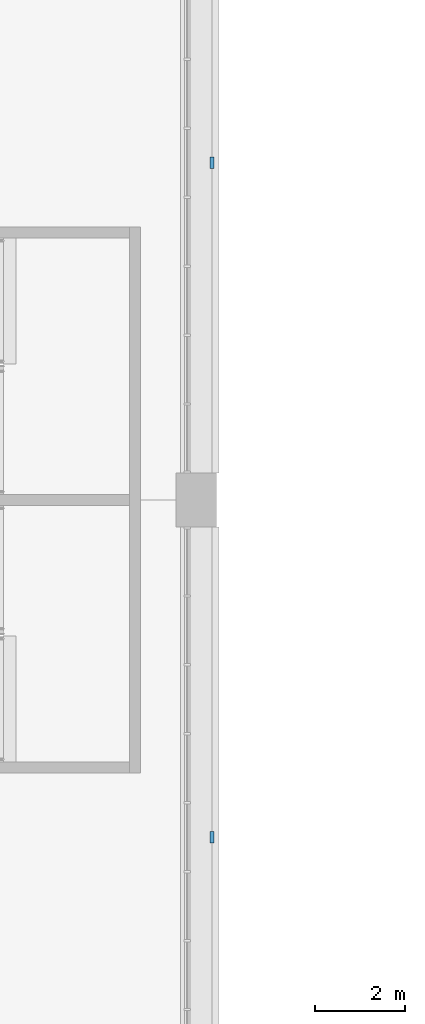
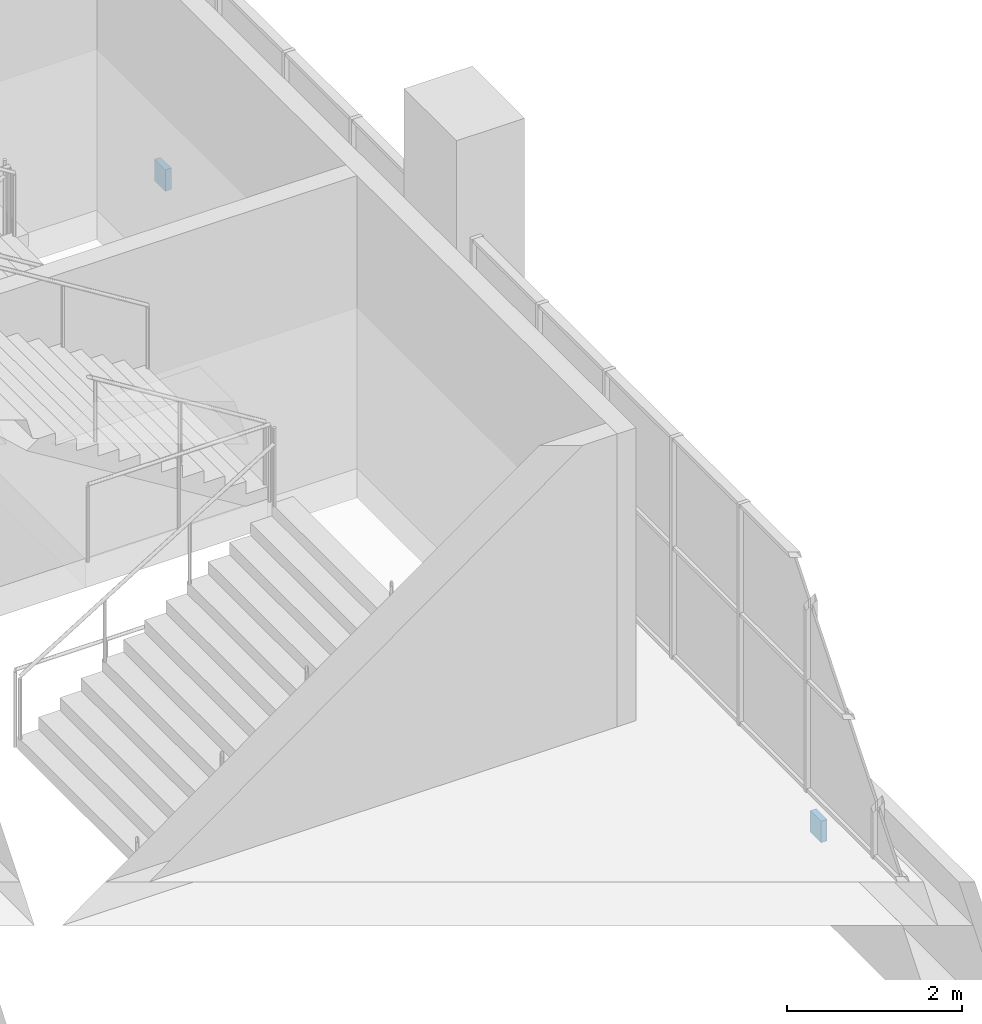
# One storey, part 98 of 199: 2 discrete accessories.
"""IFC4 building model written with IfcOpenShell, lengths in metres."""

from ifc_helpers import new_model, si_unit, direction, frame, origin, origin_2d, place, context, subcontext, project, spatial, rectangle, extrude, material, layer, layer_set, type_object, element, save


model = new_model("IFC4")

# Units and contexts
model_context = context("Model", 3, precision=1e-05, world=origin(), true_north=direction((0.0, 1.0)))
body_context = subcontext(model_context, "Body", "Model", "MODEL_VIEW")
ifc_project = project(units=[si_unit("LENGTHUNIT", "METRE"), si_unit("AREAUNIT", "SQUARE_METRE"), si_unit("VOLUMEUNIT", "CUBIC_METRE"), si_unit("PLANEANGLEUNIT", "RADIAN"), si_unit("MASSUNIT", "GRAM", prefix="KILO")], contexts=[model_context])

# Site, building, storey
site_placement = place(None, origin())
site = spatial("IfcSite", under=ifc_project, at=site_placement, CompositionType="ELEMENT")
building_placement = place(site_placement, origin())
building = spatial("IfcBuilding", under=site, at=building_placement, Name="Ogive Plaza Stadium", CompositionType="ELEMENT")
storey_placement = place(building_placement, frame((0.0, 0.0, 4.5)))
storey = spatial("IfcBuildingStorey", under=building, at=storey_placement, Name="L01", CompositionType="ELEMENT", Elevation=4.5)

# Discrete accessories
ifc_material = material(Name="Steel ASTM A572 Grade 50", Category="steel")
ifc_layer = layer(ifc_material, 0.080078125)
ifc_layer_set = layer_set([ifc_layer], Name="Steel ASTM A572 Grade 50")
discrete_accessory_type = type_object("IfcDiscreteAccessoryType", Name="Spandrel cladding bracket 250x300", PredefinedType="BRACKET", material=ifc_layer_set)
for number, where, z_axis, x_axis, name in (
    (1, (84.35009765625, 15.0, -1.31005859375), (0.0, 0.0, 1.0), (0.0, -1.0, 0.0), "SPANDREL BRACKET B03 L01"),
    (2, (84.35009765625, 0.0, -1.31005859375), (0.0, 0.0, 1.0), (0.0, -1.0, 0.0), "SPANDREL BRACKET B04 L01"),
):
    element("IfcDiscreteAccessory", number, at=place(storey_placement, frame(where, z_axis=z_axis, x_axis=x_axis)), inside=storey, type_object=discrete_accessory_type, Name=name, PredefinedType="BRACKET", context=body_context, shape_type="SweptSolid", body=[
        extrude(rectangle(XDim=0.25, YDim=0.080078125, at=origin_2d()), origin(), (0.0, 0.0, 1.0), 0.300048828125),
    ])

save(model, "model.ifc")
